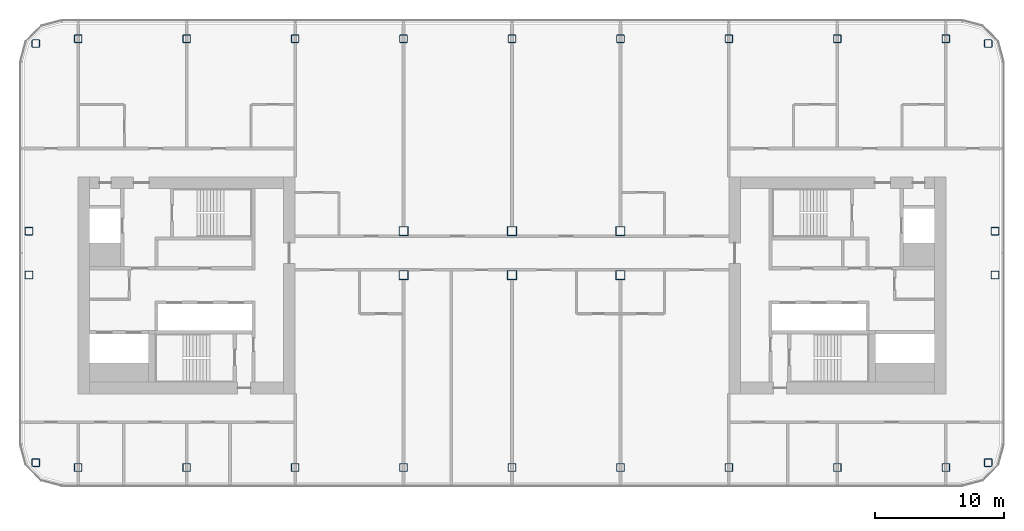
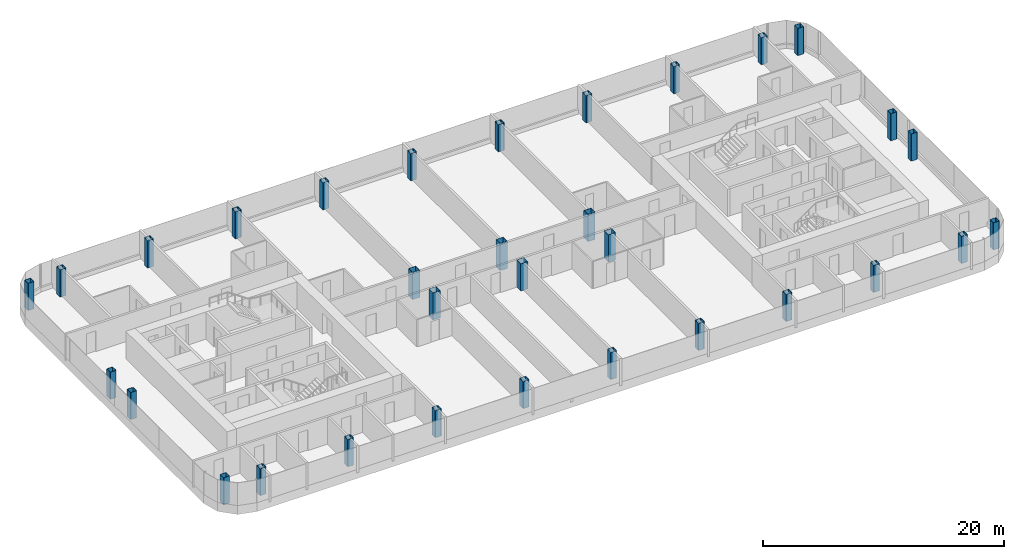
# One storey, part 1 of 25: 32 columns.
"""IFC4 building model written with IfcOpenShell, lengths in metres."""

from ifc_helpers import new_model, si_unit, direction, frame, origin, origin_2d, place, context, subcontext, project, spatial, hollow_rectangle, extrude, material, material_profile, profile_set, type_object, element, save


model = new_model("IFC4")

# Units and contexts
model_context = context("Model", 3, precision=1e-05, world=origin(), true_north=direction((0.0, 1.0)))
body_context = subcontext(model_context, "Body", "Model", "MODEL_VIEW")
ifc_project = project(units=[si_unit("LENGTHUNIT", "METRE"), si_unit("AREAUNIT", "SQUARE_METRE"), si_unit("VOLUMEUNIT", "CUBIC_METRE"), si_unit("PLANEANGLEUNIT", "RADIAN"), si_unit("MASSUNIT", "GRAM", prefix="KILO")], contexts=[model_context])

# Site, building, storey
site_placement = place(None, origin())
site = spatial("IfcSite", under=ifc_project, at=site_placement, CompositionType="ELEMENT")
building_placement = place(site_placement, origin())
building = spatial("IfcBuilding", under=site, at=building_placement, Name="Hakoniwa Tower and Hamabe Station Hall", CompositionType="ELEMENT")
storey_placement = place(building_placement, frame((0.0, 0.0, 202.60009765625)))
storey = spatial("IfcBuildingStorey", under=building, at=storey_placement, Name="L57", CompositionType="ELEMENT", Elevation=202.60009765625)

# Columns
ifc_material_1 = material(Name="Steel BCP325", Category="steel")
ifc_material_profile_1 = material_profile(ifc_material_1, hollow_rectangle(XDim=0.60009765625, YDim=0.60009765625, WallThickness=0.02490234375, InnerFilletRadius=0.03759765625, OuterFilletRadius=0.0625, at=origin_2d()), Name="BCP-600x600x25")
ifc_profile_set_1 = profile_set([ifc_material_profile_1], Name="Steel BCP325")
column_type_1 = type_object("IfcColumnType", Name="COLUMN BCP-600x600x25", PredefinedType="COLUMN", material=ifc_profile_set_1)
for number, where, z_axis, x_axis, name in (
    (1, (-36.877685546875, -13.728515625, 0.0), (0.0, 0.0, 1.0), (1.0, 0.0, 0.0), "Column B4-EW-A4"),
    (2, (-37.39990234375, 0.800048828125, 0.0), (0.0, 0.0, 1.0), (1.0, 0.0, 0.0), "Column B4-EW-C4"),
    (3, (-37.39990234375, 4.199951171875, 0.0), (0.0, 0.0, 1.0), (1.0, 0.0, 0.0), "Column B4-EW-D4"),
    (4, (-36.877685546875, 18.728515625, 0.0), (0.0, 0.0, 1.0), (1.0, 0.0, 0.0), "Column B4-EW-F4"),
    (5, (-33.60009765625, -14.10009765625, 0.0), (0.0, 0.0, 1.0), (1.0, 0.0, 0.0), "Column B4-3-A4"),
    (6, (-33.60009765625, 19.10009765625, 0.0), (0.0, 0.0, 1.0), (1.0, 0.0, 0.0), "Column B4-3-F4"),
    (7, (-25.199951171875, -14.10009765625, 0.0), (0.0, 0.0, 1.0), (1.0, 0.0, 0.0), "Column B4-4-A4"),
    (8, (-25.199951171875, 19.10009765625, 0.0), (0.0, 0.0, 1.0), (1.0, 0.0, 0.0), "Column B4-4-F4"),
    (9, (-16.800048828125, -14.10009765625, 0.0), (0.0, 0.0, 1.0), (1.0, 0.0, 0.0), "Column B4-5-A4"),
    (10, (-16.800048828125, 19.10009765625, 0.0), (0.0, 0.0, 1.0), (1.0, 0.0, 0.0), "Column B4-5-F4"),
    (11, (-8.39990234375, -14.10009765625, 0.0), (0.0, 0.0, 1.0), (1.0, 0.0, 0.0), "Column B4-6-A4"),
    (12, (-8.39990234375, 19.10009765625, 0.0), (0.0, 0.0, 1.0), (1.0, 0.0, 0.0), "Column B4-6-F4"),
    (13, (0.0, -14.10009765625, 0.0), (0.0, 0.0, 1.0), (1.0, 0.0, 0.0), "Column B4-7-A4"),
    (14, (0.0, 19.10009765625, 0.0), (0.0, 0.0, 1.0), (1.0, 0.0, 0.0), "Column B4-7-F4"),
    (15, (8.39990234375, -14.10009765625, 0.0), (0.0, 0.0, 1.0), (1.0, 0.0, 0.0), "Column B4-8-A4"),
    (16, (8.39990234375, 19.10009765625, 0.0), (0.0, 0.0, 1.0), (1.0, 0.0, 0.0), "Column B4-8-F4"),
    (17, (16.800048828125, -14.10009765625, 0.0), (0.0, 0.0, 1.0), (1.0, 0.0, 0.0), "Column B4-9-A4"),
    (18, (16.800048828125, 19.10009765625, 0.0), (0.0, 0.0, 1.0), (1.0, 0.0, 0.0), "Column B4-9-F4"),
    (19, (25.199951171875, -14.10009765625, 0.0), (0.0, 0.0, 1.0), (1.0, 0.0, 0.0), "Column B4-10-A4"),
    (20, (25.199951171875, 19.10009765625, 0.0), (0.0, 0.0, 1.0), (1.0, 0.0, 0.0), "Column B4-10-F4"),
    (21, (33.60009765625, -14.10009765625, 0.0), (0.0, 0.0, 1.0), (1.0, 0.0, 0.0), "Column B4-11-A4"),
    (22, (33.60009765625, 19.10009765625, 0.0), (0.0, 0.0, 1.0), (1.0, 0.0, 0.0), "Column B4-11-F4"),
    (23, (36.877685546875, -13.728515625, 0.0), (0.0, 0.0, 1.0), (1.0, 0.0, 0.0), "Column B4-EE-A4"),
    (24, (37.39990234375, 0.800048828125, 0.0), (0.0, 0.0, 1.0), (1.0, 0.0, 0.0), "Column B4-EE-C4"),
    (25, (37.39990234375, 4.199951171875, 0.0), (0.0, 0.0, 1.0), (1.0, 0.0, 0.0), "Column B4-EE-D4"),
    (26, (36.877685546875, 18.728515625, 0.0), (0.0, 0.0, 1.0), (1.0, 0.0, 0.0), "Column B4-EE-F4"),
):
    element("IfcColumn", number, at=place(storey_placement, frame(where, z_axis=z_axis, x_axis=x_axis)), inside=storey, type_object=column_type_1, Name=name, PredefinedType="COLUMN", context=body_context, shape_type="SweptSolid", body=[
        extrude(hollow_rectangle(XDim=0.60009765625, YDim=0.60009765625, WallThickness=0.02490234375, InnerFilletRadius=0.03759765625, OuterFilletRadius=0.0625, at=origin_2d()), origin(), (0.0, 0.0, 1.0), 2.75),
    ])
ifc_material_2 = material(Name="Steel SN490C", Category="steel")
ifc_material_profile_2 = material_profile(ifc_material_2, hollow_rectangle(XDim=0.699951171875, YDim=0.699951171875, WallThickness=0.028076171875, at=origin_2d()), Name="BX-700x700x28")
ifc_profile_set_2 = profile_set([ifc_material_profile_2], Name="Steel SN490C")
column_type_2 = type_object("IfcColumnType", Name="COLUMN BX-700x700x28", PredefinedType="COLUMN", material=ifc_profile_set_2)
for number, where, z_axis, x_axis, name in (
    (27, (-8.39990234375, 0.800048828125, 0.0), (0.0, 0.0, 1.0), (1.0, 0.0, 0.0), "Column B4-6-C4"),
    (28, (-8.39990234375, 4.199951171875, 0.0), (0.0, 0.0, 1.0), (1.0, 0.0, 0.0), "Column B4-6-D4"),
    (29, (0.0, 0.800048828125, 0.0), (0.0, 0.0, 1.0), (1.0, 0.0, 0.0), "Column B4-7-C4"),
    (30, (0.0, 4.199951171875, 0.0), (0.0, 0.0, 1.0), (1.0, 0.0, 0.0), "Column B4-7-D4"),
    (31, (8.39990234375, 0.800048828125, 0.0), (0.0, 0.0, 1.0), (1.0, 0.0, 0.0), "Column B4-8-C4"),
    (32, (8.39990234375, 4.199951171875, 0.0), (0.0, 0.0, 1.0), (1.0, 0.0, 0.0), "Column B4-8-D4"),
):
    element("IfcColumn", number, at=place(storey_placement, frame(where, z_axis=z_axis, x_axis=x_axis)), inside=storey, type_object=column_type_2, Name=name, PredefinedType="COLUMN", context=body_context, shape_type="SweptSolid", body=[
        extrude(hollow_rectangle(XDim=0.699951171875, YDim=0.699951171875, WallThickness=0.028076171875, at=origin_2d()), origin(), (0.0, 0.0, 1.0), 2.75),
    ])

save(model, "model.ifc")
